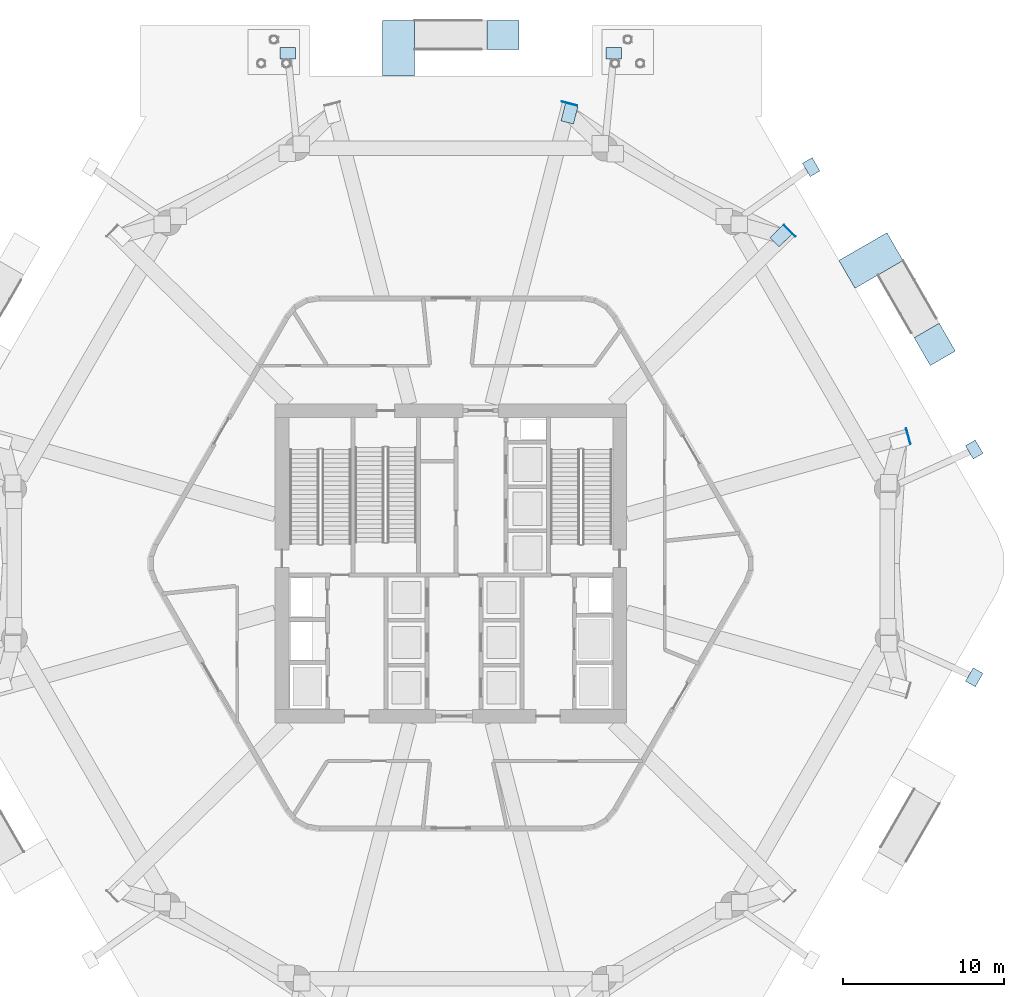
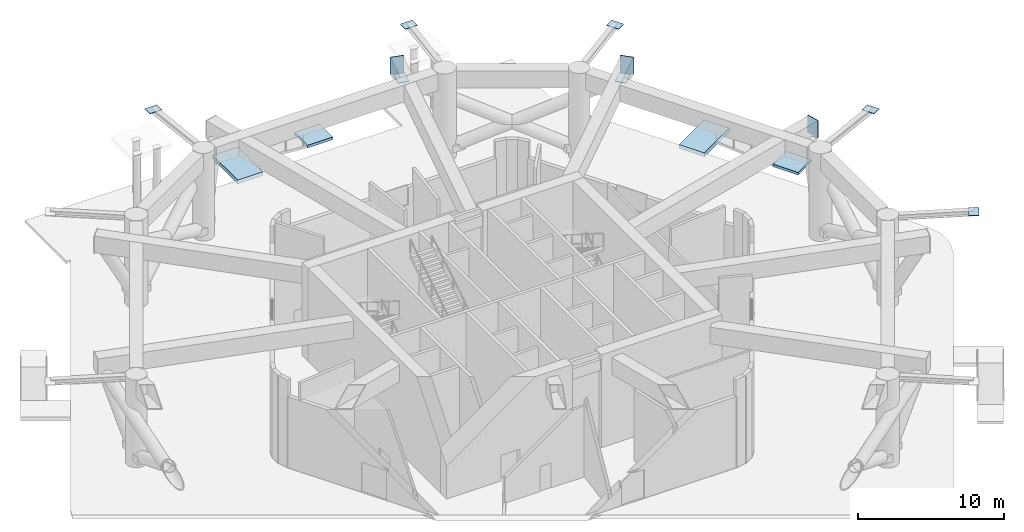
# One storey, part 8 of 17: 10 plates, 4 slabs.
"""IFC4 building model written with IfcOpenShell, lengths in metres."""

from ifc_helpers import new_model, si_unit, direction, frame, origin, origin_2d, place, context, subcontext, project, spatial, polyline, rectangle, outline, extrude, material, layer, layer_set, type_object, element, save


model = new_model("IFC4")

# Units and contexts
model_context = context("Model", 3, precision=1e-05, world=origin(), true_north=direction((0.0, 1.0)))
body_context = subcontext(model_context, "Body", "Model", "MODEL_VIEW")
ifc_project = project(units=[si_unit("LENGTHUNIT", "METRE"), si_unit("AREAUNIT", "SQUARE_METRE"), si_unit("VOLUMEUNIT", "CUBIC_METRE"), si_unit("PLANEANGLEUNIT", "RADIAN"), si_unit("MASSUNIT", "GRAM", prefix="KILO")], contexts=[model_context])

# Site, building, storey
site_placement = place(None, origin())
site = spatial("IfcSite", under=ifc_project, at=site_placement, CompositionType="ELEMENT")
building_placement = place(site_placement, origin())
building = spatial("IfcBuilding", under=site, at=building_placement, Name="Zuhravey Tower", CompositionType="ELEMENT")
storey_placement = place(building_placement, origin())
storey = spatial("IfcBuildingStorey", under=building, at=storey_placement, Name="L01", CompositionType="ELEMENT", Elevation=0.0)

# Plates
ifc_material_1 = material(Name="Steel SM460", Category="steel")
ifc_layer_1 = layer(ifc_material_1, 0.0400390625)
ifc_layer_set_1 = layer_set([ifc_layer_1], Name="Steel SM460")
plate_type_1 = type_object("IfcPlateType", Name="Exoskeleton Zone 1 Node Plate ND1", PredefinedType="SHEET", material=ifc_layer_set_1)
for number, where, z_axis, x_axis, name in (
    (1, (68.537353515625, 39.08056640625, 7.115966796875), (0.0, 0.0, 1.0), (-0.5, 0.866025403784, 0.0), "L01 Exoskeleton Node Gusset L02-01"),
    (2, (58.400634765625, 56.637939453125, 7.115966796875), (0.0, 0.0, 1.0), (-0.5, 0.866025403784, 0.0), "L01 Exoskeleton Node Gusset L02-02"),
    (3, (46.13671875, 63.718505859375, 7.115966796875), (0.0, 0.0, 1.0), (-1.0, 0.0, 0.0), "L01 Exoskeleton Node Gusset L02-03"),
    (4, (25.86328125, 63.718505859375, 7.115966796875), (0.0, 0.0, 1.0), (-1.0, 0.0, 0.0), "L01 Exoskeleton Node Gusset L02-04"),
    (5, (68.537353515625, 24.91943359375, 7.115966796875), (0.0, 0.0, 1.0), (0.5, 0.866025403784, 0.0), "L01 Exoskeleton Node Gusset L02-12"),
):
    element("IfcPlate", number, at=place(storey_placement, frame(where, z_axis=z_axis, x_axis=x_axis)), inside=storey, type_object=plate_type_1, Name=name, PredefinedType="SHEET", context=body_context, shape_type="SweptSolid", body=[
        extrude(rectangle(XDim=0.9599609375, YDim=0.699951171875, at=origin_2d()), origin(), (0.0, 0.0, 1.0), 0.0400390625),
    ])

# Slabs
ifc_material_2 = material(Name="Concrete C50/60", Category="concrete")
ifc_layer_2 = layer(ifc_material_2, 0.260009765625)
ifc_layer_set_2 = layer_set([ifc_layer_2], Name="Concrete C50/60")
slab_type = type_object("IfcSlabType", Name="Sky-Playground & Garden Tray Slab 260", PredefinedType="FLOOR", material=ifc_layer_set_2)
slab_1_placement = place(storey_placement, frame((0.0, 0.0, -0.320068359375)))
element("IfcSlab", 6, at=slab_1_placement, inside=storey, type_object=slab_type, Name="L01 Ramp 1 Upper Landing", PredefinedType="FLOOR", context=body_context, shape_type="SweptSolid", body=[
    extrude(outline(polyline([(61.125244140625, 49.103515625), (60.125, 50.8359375), (63.11279296875, 52.56103515625), (64.113037109375, 50.828369140625), (61.125244140625, 49.103515625)])), origin(), (0.0, 0.0, 1.0), 0.320068359375),
])
slab_2_placement = place(storey_placement, frame((0.0, 0.0, -0.580078125)))
element("IfcSlab", 7, at=slab_2_placement, inside=storey, type_object=slab_type, Name="L01 Ramp 1 Lower Grade Landing", PredefinedType="FLOOR", context=body_context, shape_type="SweptSolid", body=[
    extrude(outline(polyline([(65.803955078125, 44.2998046875), (64.8037109375, 46.032470703125), (66.362548828125, 46.9326171875), (67.36279296875, 45.199951171875), (65.803955078125, 44.2998046875)])), origin(), (0.0, 0.0, 1.0), 0.219970703125),
])
slab_3_placement = place(storey_placement, frame((0.0, 0.0, -0.320068359375)))
element("IfcSlab", 8, at=slab_3_placement, inside=storey, type_object=slab_type, Name="L01 Ramp 2 Upper Landing", PredefinedType="FLOOR", context=body_context, shape_type="SweptSolid", body=[
    extrude(outline(polyline([(33.750732421875, 62.310791015625), (31.75, 62.310791015625), (31.75, 65.760986328125), (33.750732421875, 65.760986328125), (33.750732421875, 62.310791015625)])), origin(), (0.0, 0.0, 1.0), 0.320068359375),
])
slab_4_placement = place(storey_placement, frame((0.0, 0.0, -0.580078125)))
element("IfcSlab", 9, at=slab_4_placement, inside=storey, type_object=slab_type, Name="L01 Ramp 2 Lower Grade Landing", PredefinedType="FLOOR", context=body_context, shape_type="SweptSolid", body=[
    extrude(outline(polyline([(40.25, 63.9609375), (38.249267578125, 63.9609375), (38.249267578125, 65.760986328125), (40.25, 65.760986328125), (40.25, 63.9609375)])), origin(), (0.0, 0.0, 1.0), 0.219970703125),
])

# Plates
ifc_layer_3 = layer(ifc_material_1, 0.0400390625)
ifc_layer_set_3 = layer_set([ifc_layer_3], Name="Steel SM460")
plate_type_2 = type_object("IfcPlateType", Name="Stilt Transfer Node Plate ND5", PredefinedType="SHEET", material=ifc_layer_set_3)
plate_1_placement = place(storey_placement, frame((64.4404296875, 39.905517578125, 5.919921875), z_axis=(0.0, 0.0, 1.0), x_axis=(0.963490395436, 0.267742895148, 0.0)))
element("IfcPlate", 10, at=plate_1_placement, inside=storey, type_object=plate_type_2, Name="L01 Transfer End Cap ND5-C01", PredefinedType="SHEET", context=body_context, shape_type="SweptSolid", body=[
    extrude(rectangle(XDim=0.0400390625, YDim=1.0, at=origin_2d()), origin(), (0.0, 0.0, 1.0), 1.4599609375),
])
plate_2_placement = place(storey_placement, frame((56.51904296875, 52.35693359375, 5.910400390625), z_axis=(0.0, 0.0, 1.0), x_axis=(0.713617346599, 0.700535711176, 0.0)))
element("IfcPlate", 11, at=plate_2_placement, inside=storey, type_object=plate_type_2, Name="L01 Transfer Node Gusset ND5-T02", PredefinedType="SHEET", context=body_context, shape_type="SweptSolid", body=[
    extrude(rectangle(XDim=1.10009765625, YDim=0.800048828125, at=origin_2d()), origin(), (0.0, 0.0, 1.0), 0.0400390625),
])
plate_3_placement = place(storey_placement, frame((57.066650390625, 52.677490234375, 5.919921875), z_axis=(0.0, 0.0, 1.0), x_axis=(0.713617346599, 0.700535711176, 0.0)))
element("IfcPlate", 12, at=plate_3_placement, inside=storey, type_object=plate_type_2, Name="L01 Transfer End Cap ND5-C02", PredefinedType="SHEET", context=body_context, shape_type="SweptSolid", body=[
    extrude(rectangle(XDim=0.0400390625, YDim=1.0, at=origin_2d()), origin(), (0.0, 0.0, 1.0), 1.4599609375),
])
plate_4_placement = place(storey_placement, frame((43.3701171875, 59.948486328125, 5.910400390625), z_axis=(0.0, 0.0, 1.0), x_axis=(0.249873048837, 0.968278606324, 0.0)))
element("IfcPlate", 13, at=plate_4_placement, inside=storey, type_object=plate_type_2, Name="L01 Transfer Node Gusset ND5-T03", PredefinedType="SHEET", context=body_context, shape_type="SweptSolid", body=[
    extrude(rectangle(XDim=1.10009765625, YDim=0.800048828125, at=origin_2d()), origin(), (0.0, 0.0, 1.0), 0.0400390625),
])
plate_5_placement = place(storey_placement, frame((43.373779296875, 60.5830078125, 5.919921875), z_axis=(0.0, 0.0, 1.0), x_axis=(0.249873048837, 0.968278606324, 0.0)))
element("IfcPlate", 14, at=plate_5_placement, inside=storey, type_object=plate_type_2, Name="L01 Transfer End Cap ND5-C03", PredefinedType="SHEET", context=body_context, shape_type="SweptSolid", body=[
    extrude(rectangle(XDim=0.0400390625, YDim=1.0, at=origin_2d()), origin(), (0.0, 0.0, 1.0), 1.4599609375),
])

save(model, "model.ifc")
